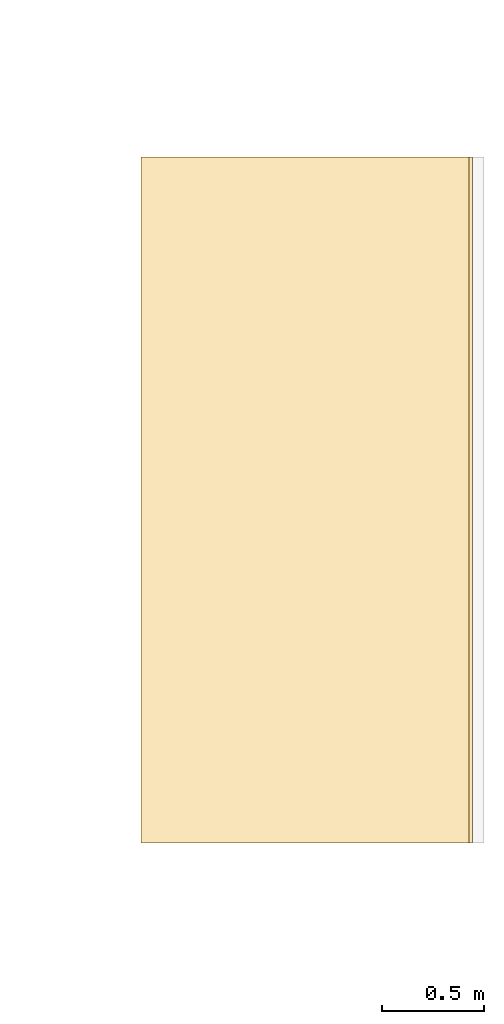
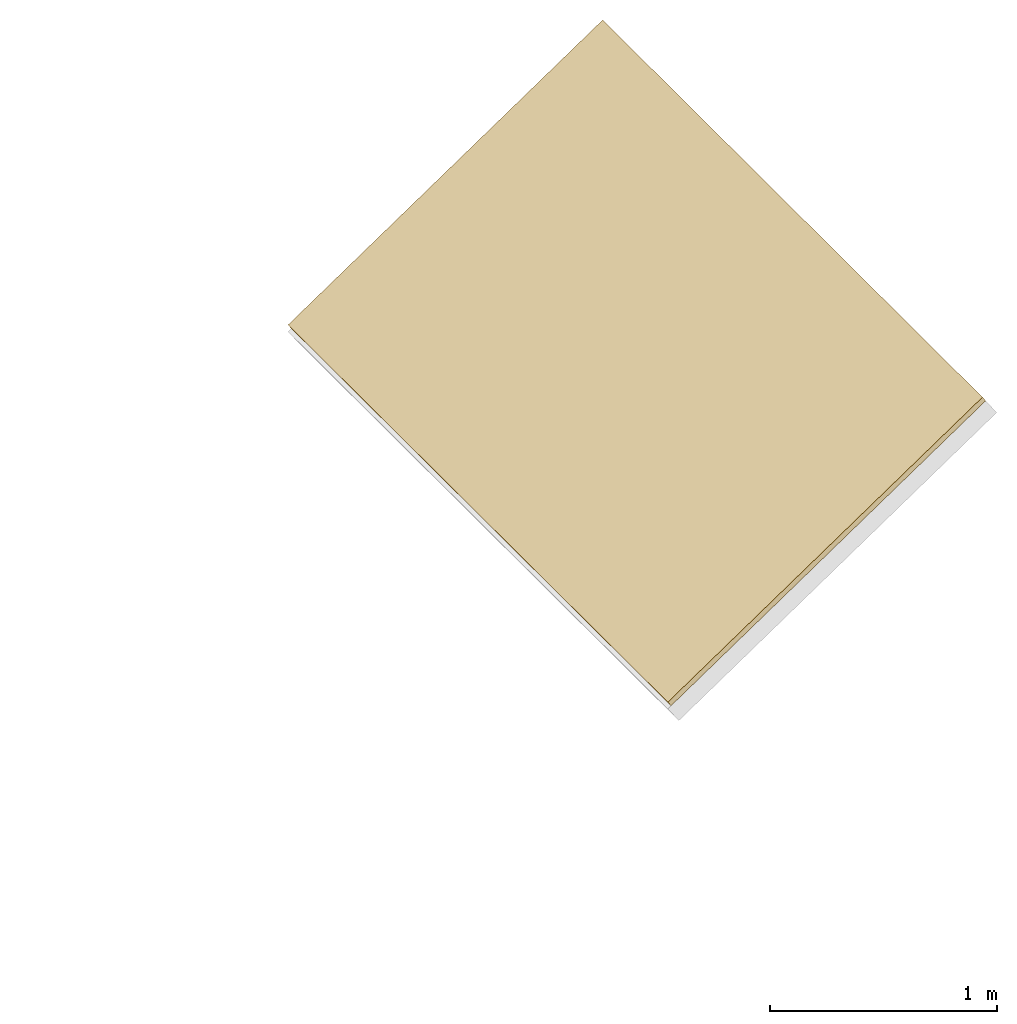
# One storey, part 25 of 28: 1 covering.
"""IFC4 building model written with IfcOpenShell, lengths in metres."""

from ifc_helpers import new_model, si_unit, direction, frame, origin, place, context, subcontext, project, spatial, polyline, outline, extrude, material, layer, layer_set, type_object, element, save


model = new_model("IFC4")

# Units and contexts
model_context = context("Model", 3, precision=1e-05, world=origin(), true_north=direction((0.0, 1.0)))
body_context = subcontext(model_context, "Body", "Model", "MODEL_VIEW")
ifc_project = project(units=[si_unit("LENGTHUNIT", "METRE"), si_unit("AREAUNIT", "SQUARE_METRE"), si_unit("VOLUMEUNIT", "CUBIC_METRE"), si_unit("PLANEANGLEUNIT", "RADIAN"), si_unit("MASSUNIT", "GRAM", prefix="KILO")], contexts=[model_context])

# Site, building, storey
site_placement = place(None, origin())
site = spatial("IfcSite", under=ifc_project, at=site_placement, CompositionType="ELEMENT")
building_placement = place(site_placement, origin())
building = spatial("IfcBuilding", under=site, at=building_placement, Name="Mazhai Court Health Centre", CompositionType="ELEMENT")
storey_placement = place(building_placement, frame((0.0, 0.0, 18.0)))
storey = spatial("IfcBuildingStorey", under=building, at=storey_placement, Name="RF", CompositionType="ELEMENT", Elevation=18.0)

# Covering
ifc_material = material(Name="Clay roof tile")
ifc_layer = layer(ifc_material, 0.030029296875)
ifc_layer_set = layer_set([ifc_layer], Name="ROOFING CLAY ROOF TILE 30")
covering_type = type_object("IfcCoveringType", Name="ROOFING CLAY ROOF TILE 30", PredefinedType="ROOFING", material=ifc_layer_set)
covering_placement = place(storey_placement, frame((142.92724609375, 27.800048828125, 2.621826171875), z_axis=(-0.559210319555, 0.0, 0.829025824992), x_axis=(-0.829025824992, 0.0, -0.559210319555)))
element("IfcCovering", 1, at=covering_placement, inside=storey, type_object=covering_type, Name="Roof covering RV6-RC1", PredefinedType="ROOFING", context=body_context, shape_type="SweptSolid", body=[
    extrude(outline(polyline([(0.0, 0.0), (1.9327442807838415, 0.0), (1.9327442807838415, -3.349853515625), (0.0, -3.349853515625), (0.0, 0.0)])), origin(), (0.0, 0.0, -1.0), 0.030029296875),
])

save(model, "model.ifc")
